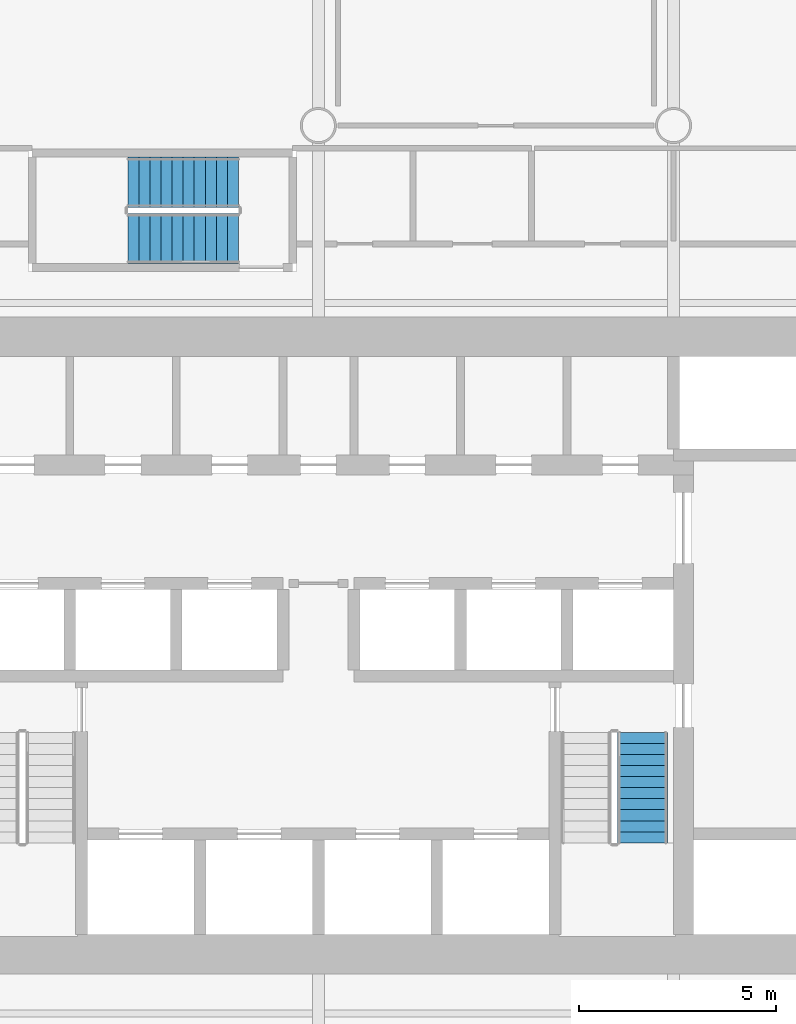
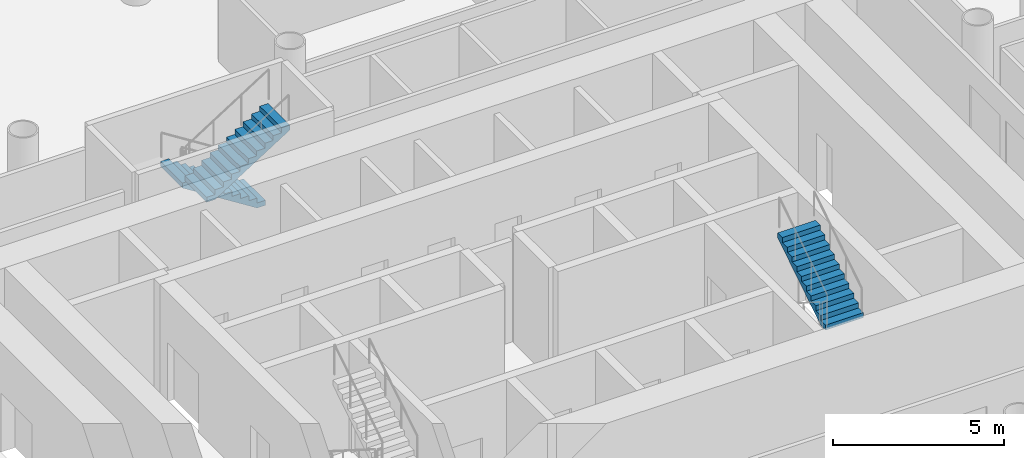
# One storey, part 17 of 22: 3 stair flights, 2 elements without a shape of their own.
"""IFC4 building model written with IfcOpenShell, lengths in metres."""

from ifc_helpers import new_model, si_unit, direction, frame, origin, place, context, subcontext, project, spatial, polyline, outline, extrude, material, type_object, element, aggregate, save


model = new_model("IFC4")

# Units and contexts
model_context = context("Model", 3, precision=1e-05, world=origin(), true_north=direction((0.0, 1.0)))
body_context = subcontext(model_context, "Body", "Model", "MODEL_VIEW")
ifc_project = project(units=[si_unit("LENGTHUNIT", "METRE"), si_unit("AREAUNIT", "SQUARE_METRE"), si_unit("VOLUMEUNIT", "CUBIC_METRE"), si_unit("PLANEANGLEUNIT", "RADIAN"), si_unit("MASSUNIT", "GRAM", prefix="KILO")], contexts=[model_context])

# Site, building, storey
site_placement = place(None, origin())
site = spatial("IfcSite", under=ifc_project, at=site_placement, CompositionType="ELEMENT")
building_placement = place(site_placement, origin())
building = spatial("IfcBuilding", under=site, at=building_placement, Name="Tskaro Facet Tower", CompositionType="ELEMENT")
storey_placement = place(building_placement, frame((0.0, 0.0, 26.39990234375)))
storey = spatial("IfcBuildingStorey", under=building, at=storey_placement, Name="L05", CompositionType="ELEMENT", Elevation=26.39990234375)

# Stair, stair flight
ifc_material = material(Name="Concrete C40/50", Category="concrete")
stair_type = type_object("IfcStairType", Name="ST-TWR", PredefinedType="HALF_TURN_STAIR", material=ifc_material)
stair_1_placement = place(storey_placement, origin())
stair_1 = element("IfcStair", 1, at=stair_1_placement, inside=storey, type_object=stair_type, Name="L05 Exit stair 2", PredefinedType="HALF_TURN_STAIR")
stair_flight_type = type_object("IfcStairFlightType", Name="SFL-RC", PredefinedType="STRAIGHT", material=ifc_material)
stair_flight_1_placement = place(storey_placement, frame((8.21240234375, -9.175048828125, 1.9501953125), z_axis=(0.0, 0.0, 1.0), x_axis=(0.0, 1.0, 0.0)))
stair_flight_1 = element("IfcStairFlight", 2, at=stair_flight_1_placement, type_object=stair_flight_type, Name="ST-2 flight 2", NumberOfRisers=11, NumberOfTreads=10, PredefinedType="STRAIGHT", RiserHeight=0.177272727, TreadLength=0.28, context=body_context, shape_type="SweptSolid", body=[
    extrude(outline(polyline([(0.0, 0.0), (0.0, 0.17724609375), (0.280029296875, 0.17724609375), (0.280029296875, 0.3544921875), (0.56005859375, 0.3544921875), (0.56005859375, 0.53173828125), (0.840087890625, 0.53173828125), (0.840087890625, 0.708984375), (1.1201171875, 0.708984375), (1.1201171875, 0.886474609375), (1.39990234375, 0.886474609375), (1.39990234375, 1.063720703125), (1.679931640625, 1.063720703125), (1.679931640625, 1.240966796875), (1.9599609375, 1.240966796875), (1.9599609375, 1.418212890625), (2.239990234375, 1.418212890625), (2.239990234375, 1.595458984375), (2.52001953125, 1.595458984375), (2.52001953125, 1.772705078125), (2.800048828125, 1.772705078125), (2.800048828125, 1.949951171875), (2.800048828125, 1.59521484375), (0.2802734375, 0.0), (0.0, 0.0)])), frame((0.0, 0.637451171875, 0.0), z_axis=(0.0, -1.0, 0.0), x_axis=(1.0, 0.0, 0.0)), (0.0, 0.0, 1.0), 1.27490234375),
])
aggregate(stair_1, [stair_flight_1])

# Stair, stair flights
stair_2_placement = place(storey_placement, origin())
stair_2 = element("IfcStair", 3, at=stair_2_placement, inside=storey, type_object=stair_type, Name="L05 Exit stair 3", PredefinedType="HALF_TURN_STAIR")
stair_flight_2_placement = place(storey_placement, frame((-2.02490234375, 7.5625, 0.0), z_axis=(0.0, 0.0, 1.0), x_axis=(-1.0, 0.0, 0.0)))
stair_flight_2 = element("IfcStairFlight", 4, at=stair_flight_2_placement, type_object=stair_flight_type, Name="ST-3 flight 1", NumberOfRisers=11, NumberOfTreads=10, PredefinedType="STRAIGHT", RiserHeight=0.177272727, TreadLength=0.28, context=body_context, shape_type="SweptSolid", body=[
    extrude(outline(polyline([(0.0, 0.0), (0.0, 0.17724609375), (0.280029296875, 0.17724609375), (0.280029296875, 0.3544921875), (0.56005859375, 0.3544921875), (0.56005859375, 0.53173828125), (0.840087890625, 0.53173828125), (0.840087890625, 0.708984375), (1.1201171875, 0.708984375), (1.1201171875, 0.886474609375), (1.39990234375, 0.886474609375), (1.39990234375, 1.063720703125), (1.679931640625, 1.063720703125), (1.679931640625, 1.240966796875), (1.9599609375, 1.240966796875), (1.9599609375, 1.418212890625), (2.239990234375, 1.418212890625), (2.239990234375, 1.595458984375), (2.52001953125, 1.595458984375), (2.52001953125, 1.772705078125), (2.800048828125, 1.772705078125), (2.800048828125, 1.949951171875), (2.800048828125, 1.59521484375), (0.2802734375, 0.0), (0.0, 0.0)])), frame((0.0, 0.637451171875, 0.0), z_axis=(0.0, -1.0, 0.0), x_axis=(1.0, 0.0, 0.0)), (0.0, 0.0, 1.0), 1.27490234375),
])
stair_flight_3_placement = place(storey_placement, frame((-4.824951171875, 6.137451171875, 1.9501953125), z_axis=(0.0, 0.0, 1.0), x_axis=(1.0, 0.0, 0.0)))
stair_flight_3 = element("IfcStairFlight", 5, at=stair_flight_3_placement, type_object=stair_flight_type, Name="ST-3 flight 2", NumberOfRisers=11, NumberOfTreads=10, PredefinedType="STRAIGHT", RiserHeight=0.177272727, TreadLength=0.28, context=body_context, shape_type="SweptSolid", body=[
    extrude(outline(polyline([(0.0, 0.0), (0.0, 0.17724609375), (0.280029296875, 0.17724609375), (0.280029296875, 0.3544921875), (0.56005859375, 0.3544921875), (0.56005859375, 0.53173828125), (0.840087890625, 0.53173828125), (0.840087890625, 0.708984375), (1.1201171875, 0.708984375), (1.1201171875, 0.886474609375), (1.39990234375, 0.886474609375), (1.39990234375, 1.063720703125), (1.679931640625, 1.063720703125), (1.679931640625, 1.240966796875), (1.9599609375, 1.240966796875), (1.9599609375, 1.418212890625), (2.239990234375, 1.418212890625), (2.239990234375, 1.595458984375), (2.52001953125, 1.595458984375), (2.52001953125, 1.772705078125), (2.800048828125, 1.772705078125), (2.800048828125, 1.949951171875), (2.800048828125, 1.59521484375), (0.2802734375, 0.0), (0.0, 0.0)])), frame((0.0, 0.637451171875, 0.0), z_axis=(0.0, -1.0, 0.0), x_axis=(1.0, 0.0, 0.0)), (0.0, 0.0, 1.0), 1.27490234375),
])
aggregate(stair_2, [stair_flight_2, stair_flight_3])

save(model, "model.ifc")
